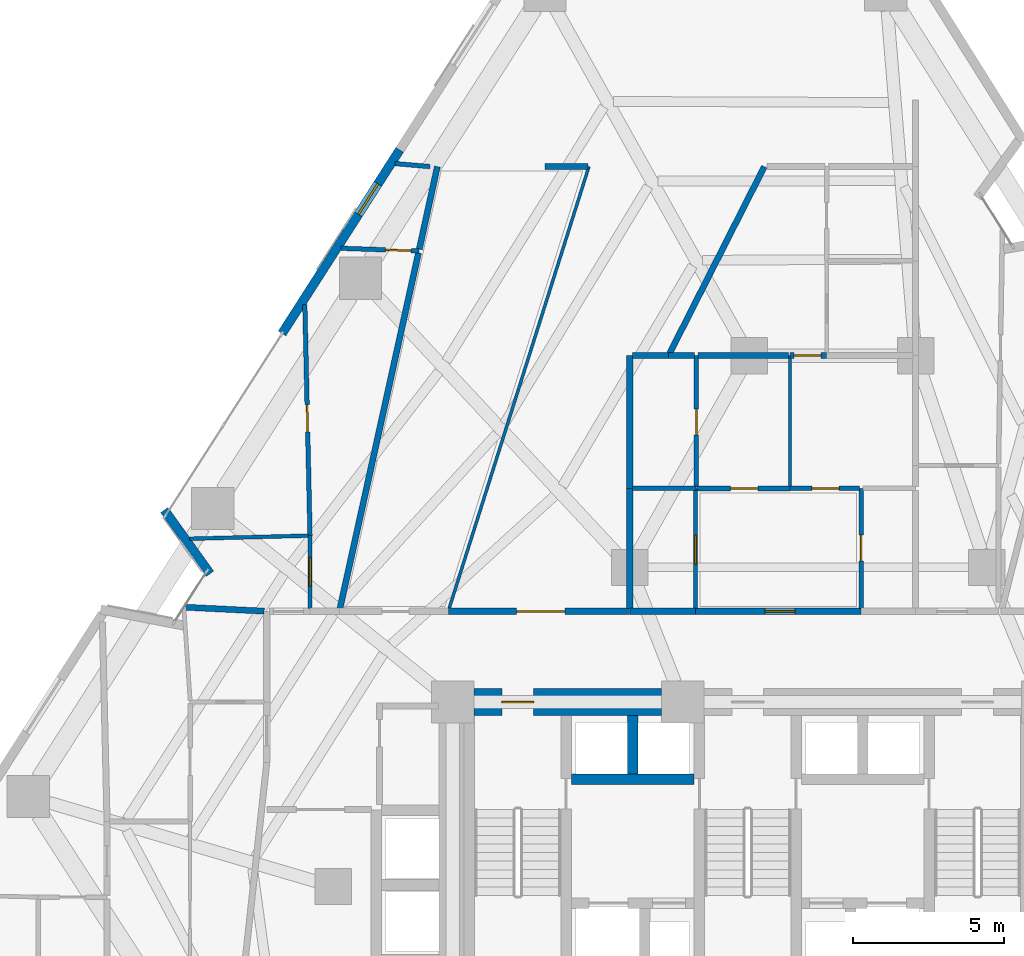
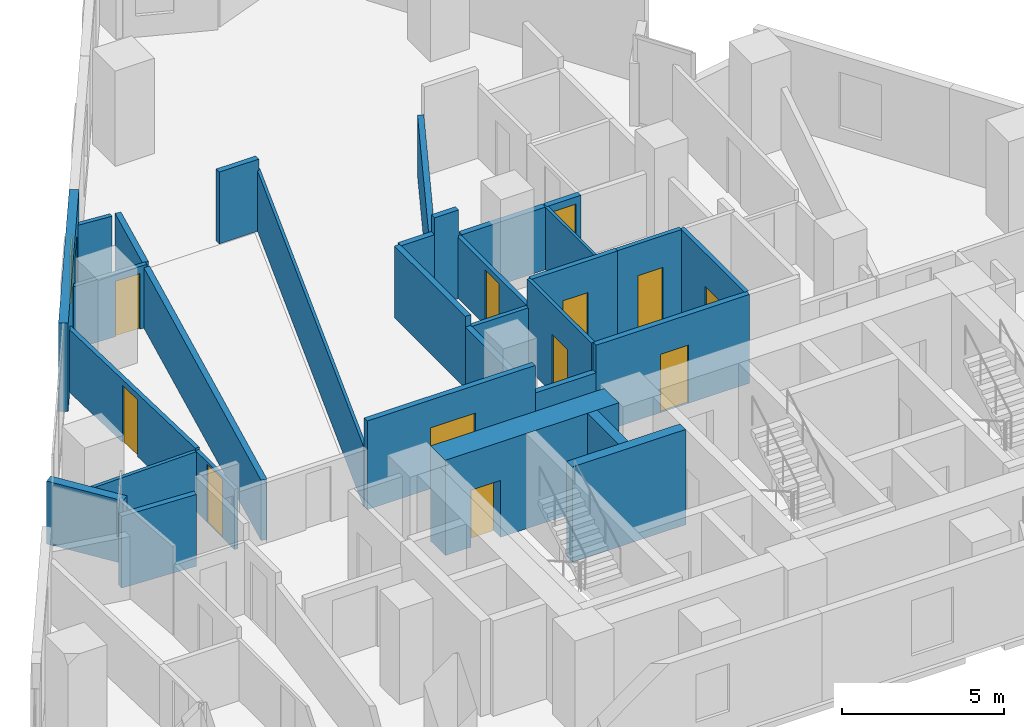
# One storey, part 8 of 14: 32 walls, 12 doors, 1 window, 13 openings.
"""IFC4 building model written with IfcOpenShell, lengths in metres."""

from ifc_helpers import new_model, si_unit, direction, frame, frame_2d, origin, place, context, subcontext, project, spatial, rectangle, extrude, material, layer, layer_set, type_object, element, fill, save


model = new_model("IFC4")

# Units and contexts
model_context = context("Model", 3, precision=1e-05, world=origin(), true_north=direction((0.0, 1.0)))
body_context = subcontext(model_context, "Body", "Model", "MODEL_VIEW")
ifc_project = project(units=[si_unit("LENGTHUNIT", "METRE"), si_unit("AREAUNIT", "SQUARE_METRE"), si_unit("VOLUMEUNIT", "CUBIC_METRE"), si_unit("PLANEANGLEUNIT", "RADIAN"), si_unit("MASSUNIT", "GRAM", prefix="KILO")], contexts=[model_context])

# Site, building, storey
site_placement = place(None, origin())
site = spatial("IfcSite", under=ifc_project, at=site_placement, CompositionType="ELEMENT")
building_placement = place(site_placement, origin())
building = spatial("IfcBuilding", under=site, at=building_placement, Name="Almagre Mirador Tower", CompositionType="ELEMENT")
storey_placement = place(building_placement, frame((0.0, 0.0, 60.60009765625)))
storey = spatial("IfcBuildingStorey", under=building, at=storey_placement, Name="L14", CompositionType="ELEMENT", Elevation=60.60009765625)

# Wall
ifc_material_1 = material(Name="Precast concrete C50/60", Category="concrete")
ifc_layer_1 = layer(ifc_material_1, 0.300048828125)
ifc_layer_set_1 = layer_set([ifc_layer_1], Name="Precast concrete C50/60")
wall_type_1 = type_object("IfcWallType", Name="WAL-EXT-300", PredefinedType="SOLIDWALL", material=ifc_layer_set_1)
wall_1_placement = place(storey_placement, frame((19.523681640625, 18.9912109375, 0.0), z_axis=(0.0, 0.0, 1.0), x_axis=(-0.58299973372, 0.812472344442, 0.0)))
element("IfcWall", 1, at=wall_1_placement, inside=storey, type_object=wall_type_1, Name="L14 expressed almagre precast frame wall 02", PredefinedType="SOLIDWALL", context=body_context, shape_type="SweptSolid", body=[
    extrude(rectangle(XDim=2.59375, YDim=0.300048828125, at=frame_2d((1.296875, 0.0))), origin(), (0.0, 0.0, 1.0), 2.375),
])

# Wall, opening, window
wall_2_placement = place(storey_placement, frame((21.90576171875, 26.935302734375, 0.0), z_axis=(0.0, 0.0, 1.0), x_axis=(0.5395054239, 0.841982124265, 0.0)))
wall_2 = element("IfcWall", 2, at=wall_2_placement, inside=storey, type_object=wall_type_1, Name="L14 expressed almagre precast frame wall 03", PredefinedType="SOLIDWALL", context=body_context, shape_type="SweptSolid", body=[
    extrude(rectangle(XDim=7.20703125, YDim=0.300048828125, at=frame_2d((3.603515625, 0.0))), origin(), (0.0, 0.0, 1.0), 3.349853515625),
])
opening_1_placement = place(wall_2_placement, frame((4.675048828125, 0.0, 0.800048828125)))
opening_1 = element("IfcOpeningElement", 3, at=opening_1_placement, cuts=wall_2, Name="Opening WN-04", PredefinedType="OPENING", context=body_context, shape_type="SweptSolid", body=[
    extrude(rectangle(XDim=1.199951171875, YDim=1.800048828125, at=frame_2d((0.60009765625, 0.89990234375))), frame((0.0, 0.159902, 0.0), z_axis=(0.0, -1.0, 0.0), x_axis=(1.0, 0.0, 0.0)), (0.0, 0.0, 1.0), 0.320049),
])
ifc_material_2 = material(Name="Dark solar-control laminated hurricane glass", Category="glass")
window_type = type_object("IfcWindowType", Name="WIN-1200X1800", PartitioningType="SINGLE_PANEL", PredefinedType="WINDOW", material=ifc_material_2)
window_placement = place(opening_1_placement, origin())
window = element("IfcWindow", 4, at=window_placement, inside=storey, type_object=window_type, Name="L14 recessed hurricane window L14-UF-HB", OverallHeight=1.800048828125, OverallWidth=1.199951171875, PartitioningType="SINGLE_PANEL", PredefinedType="WINDOW", context=body_context, shape_type="SweptSolid", body=[
    extrude(rectangle(XDim=1.199951171875, YDim=1.800048828125, at=frame_2d((0.60009765625, 0.89990234375))), frame((0.0, 0.030029296875, 0.0), z_axis=(0.0, -1.0, 0.0), x_axis=(1.0, 0.0, 0.0)), (0.0, 0.0, 1.0), 0.06005859375),
])
fill(opening_1, window)

# Walls
ifc_material_3 = material(Name="Gypsum acoustic stud partition", Category="other")
ifc_layer_2 = layer(ifc_material_3, 0.10009765625)
ifc_layer_set_2 = layer_set([ifc_layer_2], Name="Gypsum acoustic stud partition")
wall_type_2 = type_object("IfcWallType", Name="WAL-PRT-100-CLS", PredefinedType="PARTITIONING", material=ifc_layer_set_2)
wall_3_placement = place(storey_placement, frame((27.425537109375, 17.8310546875, 0.0), z_axis=(0.0, 0.0, 1.0), x_axis=(0.301606844208, 0.95343238435, 0.0)))
element("IfcWall", 5, at=wall_3_placement, inside=storey, type_object=wall_type_2, Name="L14 interior partition 047", PredefinedType="PARTITIONING", context=body_context, shape_type="SweptSolid", body=[
    extrude(rectangle(XDim=15.3330078125, YDim=0.10009765625, at=frame_2d((7.66650390625, 0.0))), origin(), (0.0, 0.0, 1.0), 2.27880859375),
])
wall_4_placement = place(storey_placement, frame((38.68994140625, 21.882568359375, 0.0), z_axis=(0.0, 0.0, 1.0), x_axis=(0.0, 1.0, 0.0)))
element("IfcWall", 6, at=wall_4_placement, inside=storey, type_object=wall_type_2, Name="L14 interior partition 062", PredefinedType="PARTITIONING", context=body_context, shape_type="SweptSolid", body=[
    extrude(rectangle(XDim=4.3173828125, YDim=0.10009765625, at=frame_2d((2.15869140625, 0.0))), origin(), (0.0, 0.0, 1.0), 2.369873046875),
])

# Wall, opening, door
ifc_material_4 = material(Name="Gypsum acoustic stud partition", Category="other")
ifc_layer_3 = layer(ifc_material_4, 0.125)
ifc_layer_set_3 = layer_set([ifc_layer_3], Name="Gypsum acoustic stud partition")
wall_type_3 = type_object("IfcWallType", Name="WAL-PRT-125-UTL", PredefinedType="PARTITIONING", material=ifc_layer_set_3)
wall_5_placement = place(storey_placement, frame((22.830078125, 20.25, 0.0), z_axis=(0.0, 0.0, 1.0), x_axis=(0.0, -1.0, 0.0)))
wall_5 = element("IfcWall", 7, at=wall_5_placement, inside=storey, type_object=wall_type_3, Name="L14 interior partition 042", PredefinedType="PARTITIONING", context=body_context, shape_type="SweptSolid", body=[
    extrude(rectangle(XDim=2.4150390625, YDim=0.125, at=frame_2d((1.20751953125, 0.0))), origin(), (0.0, 0.0, 1.0), 2.27880859375),
])
opening_2_placement = place(wall_5_placement, frame((0.71728515625, 0.0, 0.0)))
opening_2 = element("IfcOpeningElement", 8, at=opening_2_placement, cuts=wall_5, Name="Opening UD-01", PredefinedType="OPENING", context=body_context, shape_type="SweptSolid", body=[
    extrude(rectangle(XDim=0.949951171875, YDim=2.199951171875, at=frame_2d((0.47509765625, 1.10009765625))), frame((0.0, 0.0725, 0.0), z_axis=(0.0, -1.0, 0.0), x_axis=(1.0, 0.0, 0.0)), (0.0, 0.0, 1.0), 0.145),
])
ifc_material_5 = material(Name="Solid American walnut timber", Category="wood")
door_type_1 = type_object("IfcDoorType", Name="DOR-UNR-950X2200", OperationType="NOTDEFINED", PredefinedType="DOOR", material=ifc_material_5)
door_1_placement = place(opening_2_placement, origin())
door_1 = element("IfcDoor", 9, at=door_1_placement, inside=storey, type_object=door_type_1, Name="DR-0469 L14 interior door L14-UF-LV to L14-UF-KT", OperationType="SINGLE_SWING_RIGHT", OverallHeight=2.199951171875, OverallWidth=0.949951171875, PredefinedType="DOOR", context=body_context, shape_type="SweptSolid", body=[
    extrude(rectangle(XDim=0.949951171875, YDim=2.199951171875, at=frame_2d((0.47509765625, 1.10009765625))), frame((0.0, 0.02490234375, 0.0), z_axis=(0.0, -1.0, 0.0), x_axis=(1.0, 0.0, 0.0)), (0.0, 0.0, 1.0), 0.050048828125),
])
fill(opening_2, door_1)

# Wall
wall_6_placement = place(storey_placement, frame((22.782470703125, 20.2490234375, 0.0), z_axis=(0.0, 0.0, 1.0), x_axis=(-0.999665137203, -0.025876890473, 0.0)))
element("IfcWall", 10, at=wall_6_placement, inside=storey, type_object=wall_type_3, Name="L14 interior partition 046", PredefinedType="PARTITIONING", context=body_context, shape_type="SweptSolid", body=[
    extrude(rectangle(XDim=3.943603515625, YDim=0.125, at=frame_2d((1.9716796875, 0.0))), origin(), (0.0, 0.0, 1.0), 2.27880859375),
])

# Wall, opening, door
wall_7_placement = place(storey_placement, frame((35.570068359375, 21.81005859375, 0.0), z_axis=(0.0, 0.0, 1.0), x_axis=(0.0, -1.0, 0.0)))
wall_7 = element("IfcWall", 11, at=wall_7_placement, inside=storey, type_object=wall_type_3, Name="L14 interior partition 056", PredefinedType="PARTITIONING", context=body_context, shape_type="SweptSolid", body=[
    extrude(rectangle(XDim=3.97509765625, YDim=0.125, at=frame_2d((1.987548828125, 0.0))), origin(), (0.0, 0.0, 1.0), 3.349853515625),
])
opening_3_placement = place(wall_7_placement, frame((1.554931640625, 0.0, 0.0)))
opening_3 = element("IfcOpeningElement", 12, at=opening_3_placement, cuts=wall_7, Name="Opening UD-01", PredefinedType="OPENING", context=body_context, shape_type="SweptSolid", body=[
    extrude(rectangle(XDim=0.949951171875, YDim=2.199951171875, at=frame_2d((0.47509765625, 1.10009765625))), frame((0.0, 0.0725, 0.0), z_axis=(0.0, -1.0, 0.0), x_axis=(1.0, 0.0, 0.0)), (0.0, 0.0, 1.0), 0.145),
])
door_2_placement = place(opening_3_placement, origin())
door_2 = element("IfcDoor", 13, at=door_2_placement, inside=storey, type_object=door_type_1, Name="DR-0473 L14 interior door L14-UJ-LV to L14-UJ-KT", OperationType="SINGLE_SWING_RIGHT", OverallHeight=2.199951171875, OverallWidth=0.949951171875, PredefinedType="DOOR", context=body_context, shape_type="SweptSolid", body=[
    extrude(rectangle(XDim=0.949951171875, YDim=2.199951171875, at=frame_2d((0.47509765625, 1.10009765625))), frame((0.0, 0.02490234375, 0.0), z_axis=(0.0, -1.0, 0.0), x_axis=(1.0, 0.0, 0.0)), (0.0, 0.0, 1.0), 0.050048828125),
])
fill(opening_3, door_2)

ifc_material_6 = material(Name="Gypsum acoustic stud partition", Category="other")
ifc_layer_4 = layer(ifc_material_6, 0.14990234375)
ifc_layer_set_4 = layer_set([ifc_layer_4], Name="Gypsum acoustic stud partition")
wall_type_4 = type_object("IfcWallType", Name="WAL-PRT-150-STD", PredefinedType="PARTITIONING", material=ifc_layer_set_4)
wall_8_placement = place(storey_placement, frame((26.429931640625, 29.659912109375, 0.0), z_axis=(0.0, 0.0, 1.0), x_axis=(-0.999390852653, 0.034898762622, 0.0)))
wall_8 = element("IfcWall", 14, at=wall_8_placement, inside=storey, type_object=wall_type_4, Name="L14 interior partition 041", PredefinedType="PARTITIONING", context=body_context, shape_type="SweptSolid", body=[
    extrude(rectangle(XDim=2.581298828125, YDim=0.14990234375, at=frame_2d((1.29052734375, 0.0))), origin(), (0.0, 0.0, 1.0), 2.369873046875),
])
opening_4_placement = place(wall_8_placement, frame((0.25439453125, 0.0, 0.0)))
opening_4 = element("IfcOpeningElement", 15, at=opening_4_placement, cuts=wall_8, Name="Opening UD-04", PredefinedType="OPENING", context=body_context, shape_type="SweptSolid", body=[
    extrude(rectangle(XDim=0.85009765625, YDim=2.10009765625, at=frame_2d((0.425048828125, 1.050048828125))), frame((0.0, 0.084951, 0.0), z_axis=(0.0, -1.0, 0.0), x_axis=(1.0, 0.0, 0.0)), (0.0, 0.0, 1.0), 0.169902),
])
ifc_material_7 = material(Name="Moisture-resistant oak timber", Category="wood")
door_type_2 = type_object("IfcDoorType", Name="DOR-UNR-850X2100", OperationType="NOTDEFINED", PredefinedType="DOOR", material=ifc_material_7)
door_3_placement = place(opening_4_placement, origin())
door_3 = element("IfcDoor", 16, at=door_3_placement, inside=storey, type_object=door_type_2, Name="DR-0470 L14 interior door L14-UF-LV to L14-UF-HB", OperationType="SINGLE_SWING_LEFT", OverallHeight=2.10009765625, OverallWidth=0.85009765625, PredefinedType="DOOR", context=body_context, shape_type="SweptSolid", body=[
    extrude(rectangle(XDim=0.85009765625, YDim=2.10009765625, at=frame_2d((0.425048828125, 1.050048828125))), frame((0.0, 0.02490234375, 0.0), z_axis=(0.0, -1.0, 0.0), x_axis=(1.0, 0.0, 0.0)), (0.0, 0.0, 1.0), 0.050048828125),
])
fill(opening_4, door_3)

wall_9_placement = place(storey_placement, frame((22.658935546875, 27.89306640625, 0.0), z_axis=(0.0, 0.0, 1.0), x_axis=(0.022386262274, -0.99974939623, 0.0)))
wall_9 = element("IfcWall", 17, at=wall_9_placement, inside=storey, type_object=wall_type_4, Name="L14 interior partition 043", PredefinedType="PARTITIONING", context=body_context, shape_type="SweptSolid", body=[
    extrude(rectangle(XDim=7.64501953125, YDim=0.14990234375, at=frame_2d((3.822509765625, 0.0))), origin(), (0.0, 0.0, 1.0), 2.369873046875),
])
opening_5_placement = place(wall_9_placement, frame((3.313720703125, 0.0, 0.0)))
opening_5 = element("IfcOpeningElement", 18, at=opening_5_placement, cuts=wall_9, Name="Opening UD-02", PredefinedType="OPENING", context=body_context, shape_type="SweptSolid", body=[
    extrude(rectangle(XDim=0.89990234375, YDim=2.14990234375, at=frame_2d((0.449951171875, 1.074951171875))), frame((0.0, 0.084951, 0.0), z_axis=(0.0, -1.0, 0.0), x_axis=(1.0, 0.0, 0.0)), (0.0, 0.0, 1.0), 0.169902),
])
ifc_material_8 = material(Name="Solid American walnut timber", Category="wood")
door_type_3 = type_object("IfcDoorType", Name="DOR-UNR-900X2150", OperationType="NOTDEFINED", PredefinedType="DOOR", material=ifc_material_8)
door_4_placement = place(opening_5_placement, origin())
door_4 = element("IfcDoor", 19, at=door_4_placement, inside=storey, type_object=door_type_3, Name="DR-0471 L14 interior door L14-UF-LV to L14-UF-MB", OperationType="SINGLE_SWING_RIGHT", OverallHeight=2.14990234375, OverallWidth=0.89990234375, PredefinedType="DOOR", context=body_context, shape_type="SweptSolid", body=[
    extrude(rectangle(XDim=0.89990234375, YDim=2.14990234375, at=frame_2d((0.449951171875, 1.074951171875))), frame((0.0, 0.02490234375, 0.0), z_axis=(0.0, -1.0, 0.0), x_axis=(1.0, 0.0, 0.0)), (0.0, 0.0, 1.0), 0.050048828125),
])
fill(opening_5, door_4)

wall_10_placement = place(storey_placement, frame((41.050048828125, 17.8349609375, 0.0), z_axis=(0.0, 0.0, 1.0), x_axis=(0.0, 1.0, 0.0)))
wall_10 = element("IfcWall", 20, at=wall_10_placement, inside=storey, type_object=wall_type_4, Name="L14 interior partition 055", PredefinedType="PARTITIONING", context=body_context, shape_type="SweptSolid", body=[
    extrude(rectangle(XDim=3.97509765625, YDim=0.14990234375, at=frame_2d((1.987548828125, 0.0))), origin(), (0.0, 0.0, 1.0), 3.349853515625),
])
opening_6_placement = place(wall_10_placement, frame((1.57861328125, 0.0, 0.0)))
opening_6 = element("IfcOpeningElement", 21, at=opening_6_placement, cuts=wall_10, Name="Opening UD-04", PredefinedType="OPENING", context=body_context, shape_type="SweptSolid", body=[
    extrude(rectangle(XDim=0.85009765625, YDim=2.10009765625, at=frame_2d((0.425048828125, 1.050048828125))), frame((0.0, 0.084951, 0.0), z_axis=(0.0, -1.0, 0.0), x_axis=(1.0, 0.0, 0.0)), (0.0, 0.0, 1.0), 0.169902),
])
door_5_placement = place(opening_6_placement, origin())
door_5 = element("IfcDoor", 22, at=door_5_placement, inside=storey, type_object=door_type_2, Name="DR-0474 L14 interior door L14-UJ-LV to L14-UJ-HB", OperationType="SINGLE_SWING_LEFT", OverallHeight=2.10009765625, OverallWidth=0.85009765625, PredefinedType="DOOR", context=body_context, shape_type="SweptSolid", body=[
    extrude(rectangle(XDim=0.85009765625, YDim=2.10009765625, at=frame_2d((0.425048828125, 1.050048828125))), frame((0.0, 0.02490234375, 0.0), z_axis=(0.0, -1.0, 0.0), x_axis=(1.0, 0.0, 0.0)), (0.0, 0.0, 1.0), 0.050048828125),
])
fill(opening_6, door_5)

wall_11_placement = place(storey_placement, frame((40.989990234375, 21.81005859375, 0.0), z_axis=(0.0, 0.0, 1.0), x_axis=(-1.0, 0.0, 0.0)))
wall_11 = element("IfcWall", 23, at=wall_11_placement, inside=storey, type_object=wall_type_4, Name="L14 interior partition 058", PredefinedType="PARTITIONING", context=body_context, shape_type="SweptSolid", body=[
    extrude(rectangle(XDim=2.300048828125, YDim=0.14990234375, at=frame_2d((1.14990234375, 0.0))), origin(), (0.0, 0.0, 1.0), 3.349853515625),
])
opening_7_placement = place(wall_11_placement, frame((0.669921875, 0.0, 0.0)))
opening_7 = element("IfcOpeningElement", 24, at=opening_7_placement, cuts=wall_11, Name="Opening UD-02", PredefinedType="OPENING", context=body_context, shape_type="SweptSolid", body=[
    extrude(rectangle(XDim=0.89990234375, YDim=2.14990234375, at=frame_2d((0.449951171875, 1.074951171875))), frame((0.0, 0.084951, 0.0), z_axis=(0.0, -1.0, 0.0), x_axis=(1.0, 0.0, 0.0)), (0.0, 0.0, 1.0), 0.169902),
])
door_6_placement = place(opening_7_placement, origin())
door_6 = element("IfcDoor", 25, at=door_6_placement, inside=storey, type_object=door_type_3, Name="DR-0476 L14 interior door L14-UJ-LV to L14-UJ-B2", OperationType="SINGLE_SWING_LEFT", OverallHeight=2.14990234375, OverallWidth=0.89990234375, PredefinedType="DOOR", context=body_context, shape_type="SweptSolid", body=[
    extrude(rectangle(XDim=0.89990234375, YDim=2.14990234375, at=frame_2d((0.449951171875, 1.074951171875))), frame((0.0, 0.02490234375, 0.0), z_axis=(0.0, -1.0, 0.0), x_axis=(1.0, 0.0, 0.0)), (0.0, 0.0, 1.0), 0.050048828125),
])
fill(opening_7, door_6)

# Wall
wall_12_placement = place(storey_placement, frame((35.58251953125, 21.81005859375, 0.0), z_axis=(0.0, 0.0, 1.0), x_axis=(-1.0, 0.0, 0.0)))
element("IfcWall", 26, at=wall_12_placement, inside=storey, type_object=wall_type_4, Name="L14 interior partition 061", PredefinedType="PARTITIONING", context=body_context, shape_type="SweptSolid", body=[
    extrude(rectangle(XDim=2.097412109375, YDim=0.14990234375, at=frame_2d((1.048828125, 0.0))), origin(), (0.0, 0.0, 1.0), 2.308837890625),
])

# Wall, opening, door
wall_13_placement = place(storey_placement, frame((35.60009765625, 21.864990234375, 0.0), z_axis=(0.0, 0.0, 1.0), x_axis=(0.0, 1.0, 0.0)))
wall_13 = element("IfcWall", 27, at=wall_13_placement, inside=storey, type_object=wall_type_4, Name="L14 interior partition 063", PredefinedType="PARTITIONING", context=body_context, shape_type="SweptSolid", body=[
    extrude(rectangle(XDim=4.3349609375, YDim=0.14990234375, at=frame_2d((2.16748046875, 0.0))), origin(), (0.0, 0.0, 1.0), 2.308837890625),
])
opening_8_placement = place(wall_13_placement, frame((1.715087890625, 0.0, 0.0)))
opening_8 = element("IfcOpeningElement", 28, at=opening_8_placement, cuts=wall_13, Name="Opening UD-04", PredefinedType="OPENING", context=body_context, shape_type="SweptSolid", body=[
    extrude(rectangle(XDim=0.85009765625, YDim=2.10009765625, at=frame_2d((0.425048828125, 1.050048828125))), frame((0.0, 0.084951, 0.0), z_axis=(0.0, -1.0, 0.0), x_axis=(1.0, 0.0, 0.0)), (0.0, 0.0, 1.0), 0.169902),
])
door_7_placement = place(opening_8_placement, origin())
door_7 = element("IfcDoor", 29, at=door_7_placement, inside=storey, type_object=door_type_2, Name="DR-0477 L14 interior door L14-UJ-MB to L14-UJ-EN", OperationType="SINGLE_SWING_RIGHT", OverallHeight=2.10009765625, OverallWidth=0.85009765625, PredefinedType="DOOR", context=body_context, shape_type="SweptSolid", body=[
    extrude(rectangle(XDim=0.85009765625, YDim=2.10009765625, at=frame_2d((0.425048828125, 1.050048828125))), frame((0.0, 0.02490234375, 0.0), z_axis=(0.0, -1.0, 0.0), x_axis=(1.0, 0.0, 0.0)), (0.0, 0.0, 1.0), 0.050048828125),
])
fill(opening_8, door_7)

# Wall
wall_14_placement = place(storey_placement, frame((26.7939453125, 32.449951171875, 0.0), z_axis=(0.0, 0.0, 1.0), x_axis=(-0.996272102626, 0.086266433385, 0.0)))
element("IfcWall", 30, at=wall_14_placement, inside=storey, type_object=wall_type_4, Name="L14 interior partition 098", PredefinedType="PARTITIONING", context=body_context, shape_type="SweptSolid", body=[
    extrude(rectangle(XDim=1.160400390625, YDim=0.14990234375, at=frame_2d((0.580078125, 0.0))), origin(), (0.0, 0.0, 1.0), 2.369873046875),
])

# Wall, opening, door
ifc_material_9 = material(Name="Gypsum acoustic stud partition", Category="other")
ifc_layer_5 = layer(ifc_material_9, 0.175048828125)
ifc_layer_set_5 = layer_set([ifc_layer_5], Name="Gypsum acoustic stud partition")
wall_type_5 = type_object("IfcWallType", Name="WAL-PRT-175-AC", PredefinedType="PARTITIONING", material=ifc_layer_set_5)
wall_15_placement = place(storey_placement, frame((38.68994140625, 21.81005859375, 0.0), z_axis=(0.0, 0.0, 1.0), x_axis=(-1.0, 0.0, 0.0)))
wall_15 = element("IfcWall", 31, at=wall_15_placement, inside=storey, type_object=wall_type_5, Name="L14 interior partition 057", PredefinedType="PARTITIONING", context=body_context, shape_type="SweptSolid", body=[
    extrude(rectangle(XDim=3.072509765625, YDim=0.175048828125, at=frame_2d((1.5361328125, 0.0))), origin(), (0.0, 0.0, 1.0), 3.349853515625),
])
opening_9_placement = place(wall_15_placement, frame((1.052978515625, 0.0, 0.0)))
opening_9 = element("IfcOpeningElement", 32, at=opening_9_placement, cuts=wall_15, Name="Opening UD-02", PredefinedType="OPENING", context=body_context, shape_type="SweptSolid", body=[
    extrude(rectangle(XDim=0.89990234375, YDim=2.14990234375, at=frame_2d((0.449951171875, 1.074951171875))), frame((0.0, 0.097402, 0.0), z_axis=(0.0, -1.0, 0.0), x_axis=(1.0, 0.0, 0.0)), (0.0, 0.0, 1.0), 0.195049),
])
door_8_placement = place(opening_9_placement, origin())
door_8 = element("IfcDoor", 33, at=door_8_placement, inside=storey, type_object=door_type_3, Name="DR-0475 L14 interior door L14-UJ-LV to L14-UJ-MB", OperationType="SINGLE_SWING_RIGHT", OverallHeight=2.14990234375, OverallWidth=0.89990234375, PredefinedType="DOOR", context=body_context, shape_type="SweptSolid", body=[
    extrude(rectangle(XDim=0.89990234375, YDim=2.14990234375, at=frame_2d((0.449951171875, 1.074951171875))), frame((0.0, 0.02490234375, 0.0), z_axis=(0.0, -1.0, 0.0), x_axis=(1.0, 0.0, 0.0)), (0.0, 0.0, 1.0), 0.050048828125),
])
fill(opening_9, door_8)

ifc_material_10 = material(Name="Gypsum acoustic stud partition", Category="other")
ifc_layer_6 = layer(ifc_material_10, 0.199951171875)
ifc_layer_set_6 = layer_set([ifc_layer_6], Name="Gypsum acoustic stud partition")
wall_type_6 = type_object("IfcWallType", Name="WAL-PRT-200-EI60", PredefinedType="PARTITIONING", material=ifc_layer_set_6)
wall_16_placement = place(storey_placement, frame((33.39990234375, 17.75, 0.0), z_axis=(0.0, 0.0, 1.0), x_axis=(-1.0, 0.0, 0.0)))
wall_16 = element("IfcWall", 34, at=wall_16_placement, inside=storey, type_object=wall_type_6, Name="L14 interior partition 011", PredefinedType="PARTITIONING", context=body_context, shape_type="SweptSolid", body=[
    extrude(rectangle(XDim=6.0, YDim=0.199951171875, at=frame_2d((3.0, 0.0))), origin(), (0.0, 0.0, 1.0), 3.349853515625),
])
opening_10_placement = place(wall_16_placement, frame((2.14111328125, 0.0, 0.0)))
opening_10 = element("IfcOpeningElement", 35, at=opening_10_placement, cuts=wall_16, Name="Opening ID-05", PredefinedType="OPENING", context=body_context, shape_type="SweptSolid", body=[
    extrude(rectangle(XDim=1.60009765625, YDim=2.300048828125, at=frame_2d((0.800048828125, 1.14990234375))), frame((0.0, 0.110098, 0.0), z_axis=(0.0, -1.0, 0.0), x_axis=(1.0, 0.0, 0.0)), (0.0, 0.0, 1.0), 0.219951),
])
ifc_material_11 = material(Name="Fire-rated acoustic timber", Category="wood")
door_type_4 = type_object("IfcDoorType", Name="DOR-FD60-1600X2300", OperationType="DOUBLE_DOOR_SINGLE_SWING", PredefinedType="DOOR", material=ifc_material_11)
door_9_placement = place(opening_10_placement, origin())
door_9 = element("IfcDoor", 36, at=door_9_placement, inside=storey, type_object=door_type_4, Name="DR-0460 L14 interior door L14-RCOR to L14-RST-H", OperationType="DOUBLE_DOOR_SINGLE_SWING", OverallHeight=2.300048828125, OverallWidth=1.60009765625, PredefinedType="DOOR", context=body_context, shape_type="SweptSolid", body=[
    extrude(rectangle(XDim=1.60009765625, YDim=2.300048828125, at=frame_2d((0.800048828125, 1.14990234375))), frame((0.0, 0.02490234375, 0.0), z_axis=(0.0, -1.0, 0.0), x_axis=(1.0, 0.0, 0.0)), (0.0, 0.0, 1.0), 0.050048828125),
])
fill(opening_10, door_9)

wall_17_placement = place(storey_placement, frame((41.050048828125, 17.75, 0.0), z_axis=(0.0, 0.0, 1.0), x_axis=(-1.0, 0.0, 0.0)))
wall_17 = element("IfcWall", 37, at=wall_17_placement, inside=storey, type_object=wall_type_6, Name="L14 interior partition 012", PredefinedType="PARTITIONING", context=body_context, shape_type="SweptSolid", body=[
    extrude(rectangle(XDim=5.47998046875, YDim=0.199951171875, at=frame_2d((2.739990234375, 0.0))), origin(), (0.0, 0.0, 1.0), 3.349853515625),
])
opening_11_placement = place(wall_17_placement, frame((2.179931640625, 0.0, 0.0)))
opening_11 = element("IfcOpeningElement", 38, at=opening_11_placement, cuts=wall_17, Name="Opening ID-01", PredefinedType="OPENING", context=body_context, shape_type="SweptSolid", body=[
    extrude(rectangle(XDim=1.0, YDim=2.199951171875, at=frame_2d((0.5, 1.10009765625))), frame((0.0, 0.110098, 0.0), z_axis=(0.0, -1.0, 0.0), x_axis=(1.0, 0.0, 0.0)), (0.0, 0.0, 1.0), 0.219951),
])
ifc_material_12 = material(Name="Fire-rated walnut timber", Category="wood")
door_type_5 = type_object("IfcDoorType", Name="DOR-FD60-1000X2200", OperationType="NOTDEFINED", PredefinedType="DOOR", material=ifc_material_12)
door_10_placement = place(opening_11_placement, origin())
door_10 = element("IfcDoor", 39, at=door_10_placement, inside=storey, type_object=door_type_5, Name="DR-0472 L14 interior door L14-RCOR to L14-UJ-LV", OperationType="SINGLE_SWING_LEFT", OverallHeight=2.199951171875, OverallWidth=1.0, PredefinedType="DOOR", context=body_context, shape_type="SweptSolid", body=[
    extrude(rectangle(XDim=1.0, YDim=2.199951171875, at=frame_2d((0.5, 1.10009765625))), frame((0.0, 0.02490234375, 0.0), z_axis=(0.0, -1.0, 0.0), x_axis=(1.0, 0.0, 0.0)), (0.0, 0.0, 1.0), 0.050048828125),
])
fill(opening_11, door_10)

# Walls
wall_18_placement = place(storey_placement, frame((35.570068359375, 17.75, 0.0), z_axis=(0.0, 0.0, 1.0), x_axis=(-1.0, 0.0, 0.0)))
element("IfcWall", 40, at=wall_18_placement, inside=storey, type_object=wall_type_6, Name="L14 interior partition 014", PredefinedType="PARTITIONING", context=body_context, shape_type="SweptSolid", body=[
    extrude(rectangle(XDim=2.170166015625, YDim=0.199951171875, at=frame_2d((1.0849609375, 0.0))), origin(), (0.0, 0.0, 1.0), 2.308837890625),
])
wall_19_placement = place(storey_placement, frame((21.315185546875, 17.754150390625, 0.0), z_axis=(0.0, 0.0, 1.0), x_axis=(-0.998785002615, 0.049280001533, 0.0)))
element("IfcWall", 41, at=wall_19_placement, inside=storey, type_object=wall_type_6, Name="L14 interior partition 038", PredefinedType="PARTITIONING", context=body_context, shape_type="SweptSolid", body=[
    extrude(rectangle(XDim=2.61083984375, YDim=0.199951171875, at=frame_2d((1.305419921875, 0.0))), origin(), (0.0, 0.0, 1.0), 2.7119140625),
])
wall_20_placement = place(storey_placement, frame((23.818359375, 17.8330078125, 0.0), z_axis=(0.0, 0.0, 1.0), x_axis=(0.215621860536, 0.976476939441, 0.0)))
element("IfcWall", 42, at=wall_20_placement, inside=storey, type_object=wall_type_6, Name="L14 interior partition 044", PredefinedType="PARTITIONING", context=body_context, shape_type="SweptSolid", body=[
    extrude(rectangle(XDim=12.0517578125, YDim=0.199951171875, at=frame_2d((6.02587890625, 0.0))), origin(), (0.0, 0.0, 1.0), 2.27880859375),
])
wall_21_placement = place(storey_placement, frame((26.44287109375, 29.718505859375, 0.0), z_axis=(0.0, 0.0, 1.0), x_axis=(0.213582296567, 0.97692507522, 0.0)))
element("IfcWall", 43, at=wall_21_placement, inside=storey, type_object=wall_type_6, Name="L14 interior partition 045", PredefinedType="PARTITIONING", context=body_context, shape_type="SweptSolid", body=[
    extrude(rectangle(XDim=2.7958984375, YDim=0.199951171875, at=frame_2d((1.39794921875, 0.0))), origin(), (0.0, 0.0, 1.0), 2.369873046875),
])
wall_22_placement = place(storey_placement, frame((32.014892578125, 32.449951171875, 0.0), z_axis=(0.0, 0.0, 1.0), x_axis=(-1.0, 0.0, 0.0)))
element("IfcWall", 44, at=wall_22_placement, inside=storey, type_object=wall_type_6, Name="L14 interior partition 048", PredefinedType="PARTITIONING", context=body_context, shape_type="SweptSolid", body=[
    extrude(rectangle(XDim=1.414794921875, YDim=0.199951171875, at=frame_2d((0.70751953125, 0.0))), origin(), (0.0, 0.0, 1.0), 2.7119140625),
])
wall_23_placement = place(storey_placement, frame((33.39990234375, 17.8349609375, 0.0), z_axis=(0.0, 0.0, 1.0), x_axis=(0.0, 1.0, 0.0)))
element("IfcWall", 45, at=wall_23_placement, inside=storey, type_object=wall_type_6, Name="L14 interior partition 049", PredefinedType="PARTITIONING", context=body_context, shape_type="SweptSolid", body=[
    extrude(rectangle(XDim=3.97509765625, YDim=0.199951171875, at=frame_2d((1.987548828125, 0.0))), origin(), (0.0, 0.0, 1.0), 2.308837890625),
])
wall_24_placement = place(storey_placement, frame((33.39990234375, 21.81005859375, 0.0), z_axis=(0.0, 0.0, 1.0), x_axis=(0.0, 1.0, 0.0)))
element("IfcWall", 46, at=wall_24_placement, inside=storey, type_object=wall_type_6, Name="L14 interior partition 050", PredefinedType="PARTITIONING", context=body_context, shape_type="SweptSolid", body=[
    extrude(rectangle(XDim=4.389892578125, YDim=0.199951171875, at=frame_2d((2.19482421875, 0.0))), origin(), (0.0, 0.0, 1.0), 2.7119140625),
])
wall_25_placement = place(storey_placement, frame((33.485107421875, 26.199951171875, 0.0), z_axis=(0.0, 0.0, 1.0), x_axis=(1.0, 0.0, 0.0)))
element("IfcWall", 47, at=wall_25_placement, inside=storey, type_object=wall_type_6, Name="L14 interior partition 051", PredefinedType="PARTITIONING", context=body_context, shape_type="SweptSolid", body=[
    extrude(rectangle(XDim=1.19482421875, YDim=0.199951171875, at=frame_2d((0.597412109375, 0.0))), origin(), (0.0, 0.0, 1.0), 2.7119140625),
])
wall_26_placement = place(storey_placement, frame((34.718505859375, 26.27587890625, 0.0), z_axis=(0.0, 0.0, 1.0), x_axis=(0.452354999019, 0.891837964466, 0.0)))
element("IfcWall", 48, at=wall_26_placement, inside=storey, type_object=wall_type_6, Name="L14 interior partition 052", PredefinedType="PARTITIONING", context=body_context, shape_type="SweptSolid", body=[
    extrude(rectangle(XDim=6.9228515625, YDim=0.199951171875, at=frame_2d((3.46142578125, 0.0))), origin(), (0.0, 0.0, 1.0), 2.27880859375),
])
wall_27_placement = place(storey_placement, frame((38.655029296875, 26.199951171875, 0.0), z_axis=(0.0, 0.0, 1.0), x_axis=(-1.0, 0.0, 0.0)))
element("IfcWall", 49, at=wall_27_placement, inside=storey, type_object=wall_type_6, Name="L14 interior partition 064", PredefinedType="PARTITIONING", context=body_context, shape_type="SweptSolid", body=[
    extrude(rectangle(XDim=2.9951171875, YDim=0.199951171875, at=frame_2d((1.49755859375, 0.0))), origin(), (0.0, 0.0, 1.0), 2.369873046875),
])

# Wall, opening, door
wall_28_placement = place(storey_placement, frame((39.909912109375, 26.199951171875, 0.0), z_axis=(0.0, 0.0, 1.0), x_axis=(-1.0, 0.0, 0.0)))
wall_28 = element("IfcWall", 50, at=wall_28_placement, inside=storey, type_object=wall_type_6, Name="L14 interior partition 067", PredefinedType="PARTITIONING", context=body_context, shape_type="SweptSolid", body=[
    extrude(rectangle(XDim=1.219970703125, YDim=0.199951171875, at=frame_2d((0.60986328125, 0.0))), origin(), (0.0, 0.0, 1.0), 2.369873046875),
])
opening_12_placement = place(wall_28_placement, frame((0.179931640625, 0.0, 0.0)))
opening_12 = element("IfcOpeningElement", 51, at=opening_12_placement, cuts=wall_28, Name="Opening ID-03", PredefinedType="OPENING", context=body_context, shape_type="SweptSolid", body=[
    extrude(rectangle(XDim=0.89990234375, YDim=2.10009765625, at=frame_2d((0.449951171875, 1.050048828125))), frame((0.0, 0.110098, 0.0), z_axis=(0.0, -1.0, 0.0), x_axis=(1.0, 0.0, 0.0)), (0.0, 0.0, 1.0), 0.219951),
])
ifc_material_13 = material(Name="Fire-rated hollow steel", Category="steel")
door_type_6 = type_object("IfcDoorType", Name="DOR-FD60-900X2100", OperationType="NOTDEFINED", PredefinedType="DOOR", material=ifc_material_13)
door_11_placement = place(opening_12_placement, origin())
door_11 = element("IfcDoor", 52, at=door_11_placement, inside=storey, type_object=door_type_6, Name="DR-0484 L14 interior door L14-UJ-B2 to L14-UM-ST", OperationType="SINGLE_SWING_RIGHT", OverallHeight=2.10009765625, OverallWidth=0.89990234375, PredefinedType="DOOR", context=body_context, shape_type="SweptSolid", body=[
    extrude(rectangle(XDim=0.89990234375, YDim=2.10009765625, at=frame_2d((0.449951171875, 1.050048828125))), frame((0.0, 0.02490234375, 0.0), z_axis=(0.0, -1.0, 0.0), x_axis=(1.0, 0.0, 0.0)), (0.0, 0.0, 1.0), 0.050048828125),
])
fill(opening_12, door_11)

# Walls
wall_29_placement = place(storey_placement, frame((35.5400390625, 26.199951171875, 0.0), z_axis=(0.0, 0.0, 1.0), x_axis=(-1.0, 0.0, 0.0)))
element("IfcWall", 53, at=wall_29_placement, inside=storey, type_object=wall_type_6, Name="L14 interior partition 069", PredefinedType="PARTITIONING", context=body_context, shape_type="SweptSolid", body=[
    extrude(rectangle(XDim=0.860107421875, YDim=0.199951171875, at=frame_2d((0.43017578125, 0.0))), origin(), (0.0, 0.0, 1.0), 3.349853515625),
])
ifc_material_14 = material(Name="Concrete C60/75", Category="concrete")
ifc_layer_7 = layer(ifc_material_14, 0.35009765625)
ifc_layer_set_7 = layer_set([ifc_layer_7], Name="Concrete C60/75")
wall_type_7 = type_object("IfcWallType", Name="WAL-SHF-350", PredefinedType="SOLIDWALL", material=ifc_layer_set_7)
wall_30_placement = place(storey_placement, frame((31.47509765625, 12.199951171875, 0.0), z_axis=(0.0, 0.0, 1.0), x_axis=(1.0, 0.0, 0.0)))
element("IfcWall", 54, at=wall_30_placement, inside=storey, type_object=wall_type_7, Name="L14 shaft wall PLM-S", PredefinedType="SOLIDWALL", context=body_context, shape_type="SweptSolid", body=[
    extrude(rectangle(XDim=4.0498046875, YDim=0.35009765625, at=frame_2d((2.02490234375, 0.0))), origin(), (0.0, 0.0, 1.0), 3.599853515625),
])
wall_31_placement = place(storey_placement, frame((33.5, 12.375, 0.0), z_axis=(0.0, 0.0, 1.0), x_axis=(0.0, 1.0, 0.0)))
element("IfcWall", 55, at=wall_31_placement, inside=storey, type_object=wall_type_7, Name="L14 shaft wall PLM-M", PredefinedType="SOLIDWALL", context=body_context, shape_type="SweptSolid", body=[
    extrude(rectangle(XDim=1.925048828125, YDim=0.35009765625, at=frame_2d((0.96240234375, 0.0))), origin(), (0.0, 0.0, 1.0), 3.599853515625),
])

# Wall, opening, door
ifc_material_15 = material(Name="Concrete C70/85", Category="concrete")
ifc_layer_8 = layer(ifc_material_15, 0.89990234375)
ifc_layer_set_8 = layer_set([ifc_layer_8], Name="Concrete C70/85")
wall_type_8 = type_object("IfcWallType", Name="WAL-SHR-900", PredefinedType="SHEAR", material=ifc_layer_set_8)
wall_32_placement = place(storey_placement, frame((28.25, 14.75, 0.0), z_axis=(0.0, 0.0, 1.0), x_axis=(1.0, 0.0, 0.0)))
wall_32 = element("IfcWall", 56, at=wall_32_placement, inside=storey, type_object=wall_type_8, Name="L14 core shear wall N1", PredefinedType="SHEAR", context=body_context, shape_type="SweptSolid", body=[
    extrude(rectangle(XDim=6.199951171875, YDim=0.89990234375, at=frame_2d((3.10009765625, 0.0))), origin(), (0.0, 0.0, 1.0), 3.599853515625),
])
opening_13_placement = place(wall_32_placement, frame((0.925048828125, 0.0, 0.0)))
opening_13 = element("IfcOpeningElement", 57, at=opening_13_placement, cuts=wall_32, Name="Opening SD-01", PredefinedType="OPENING", context=body_context, shape_type="SweptSolid", body=[
    extrude(rectangle(XDim=1.050048828125, YDim=2.14990234375, at=frame_2d((0.52490234375, 1.074951171875))), frame((0.0, 0.459951, 0.0), z_axis=(0.0, -1.0, 0.0), x_axis=(1.0, 0.0, 0.0)), (0.0, 0.0, 1.0), 0.919902),
])
ifc_material_16 = material(Name="Fire-rated hollow steel", Category="steel")
door_type_7 = type_object("IfcDoorType", Name="DOR-ST-1050X2150", OperationType="NOTDEFINED", PredefinedType="DOOR", material=ifc_material_16)
door_12_placement = place(opening_13_placement, origin())
door_12 = element("IfcDoor", 58, at=door_12_placement, inside=storey, type_object=door_type_7, Name="DR-0490 L14 protected exit stair ST-1 door", OperationType="SINGLE_SWING_RIGHT", OverallHeight=2.14990234375, OverallWidth=1.050048828125, PredefinedType="DOOR", context=body_context, shape_type="SweptSolid", body=[
    extrude(rectangle(XDim=1.050048828125, YDim=2.14990234375, at=frame_2d((0.52490234375, 1.074951171875))), frame((0.0, 0.02490234375, 0.0), z_axis=(0.0, -1.0, 0.0), x_axis=(1.0, 0.0, 0.0)), (0.0, 0.0, 1.0), 0.050048828125),
])
fill(opening_13, door_12)

save(model, "model.ifc")
